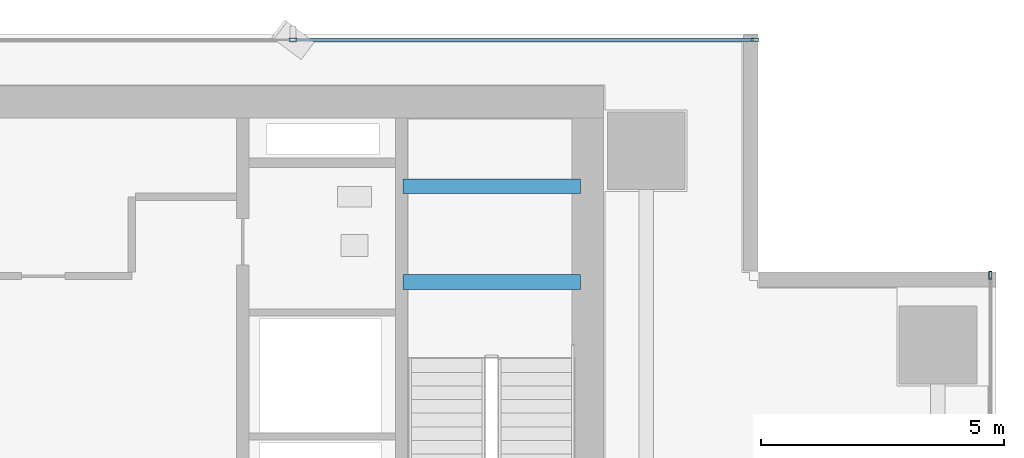
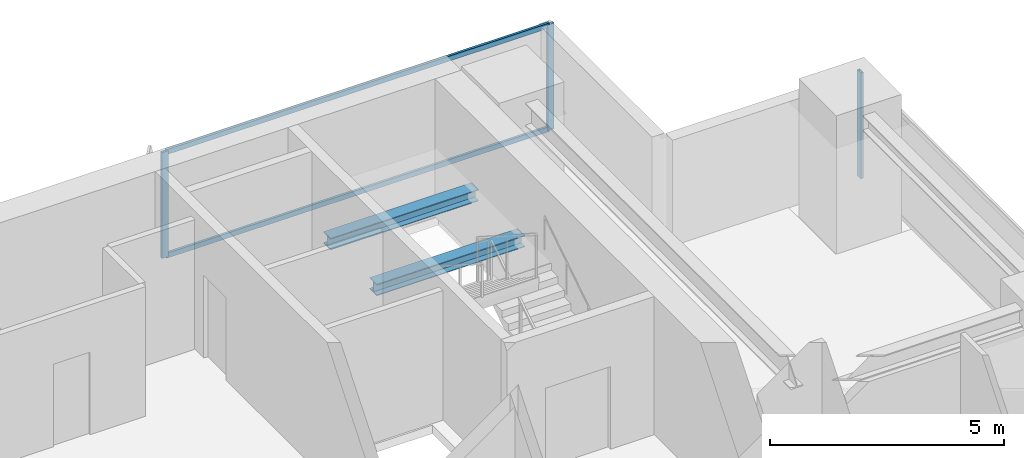
# One storey, part 19 of 27: 5 members, 2 beams, 2 elements without a shape of their own.
"""IFC4 building model written with IfcOpenShell, lengths in metres."""

from ifc_helpers import new_model, si_unit, direction, frame, origin, origin_2d, place, context, subcontext, project, spatial, hollow_rectangle, i_section, extrude, source, transform, mapped, material, layer, layer_set, material_profile, profile_set, type_object, element, aggregate, save


model = new_model("IFC4")

# Units and contexts
model_context = context("Model", 3, precision=1e-05, world=origin(), true_north=direction((0.0, 1.0)))
body_context = subcontext(model_context, "Body", "Model", "MODEL_VIEW")
ifc_project = project(units=[si_unit("LENGTHUNIT", "METRE"), si_unit("AREAUNIT", "SQUARE_METRE"), si_unit("VOLUMEUNIT", "CUBIC_METRE"), si_unit("PLANEANGLEUNIT", "RADIAN"), si_unit("MASSUNIT", "GRAM", prefix="KILO")], contexts=[model_context])

# Site, building, storey
site_placement = place(None, origin())
site = spatial("IfcSite", under=ifc_project, at=site_placement, CompositionType="ELEMENT")
building_placement = place(site_placement, origin())
building = spatial("IfcBuilding", under=site, at=building_placement, Name="Sumidabori Civic Tower", CompositionType="ELEMENT")
storey_placement = place(building_placement, frame((0.0, 0.0, 138.800048828125)))
storey = spatial("IfcBuildingStorey", under=building, at=storey_placement, Name="L35", CompositionType="ELEMENT", Elevation=138.800048828125)

# Beams
ifc_material_1 = material(Name="Steel SN490", Category="steel")
ifc_material_profile_1 = material_profile(ifc_material_1, i_section(OverallWidth=0.300048828125, OverallDepth=0.300048828125, WebThickness=0.010986328125, FlangeThickness=0.01904296875, at=origin_2d()), Name="HE 300 B")
ifc_profile_set_1 = profile_set([ifc_material_profile_1], Name="Steel SN490")
beam_type = type_object("IfcBeamType", Name="BM-LDG-300", PredefinedType="BEAM", material=ifc_profile_set_1)
shared_shape_1 = source(origin(), body_context, "Body", "SweptSolid", [
    extrude(i_section(OverallWidth=0.300048828125, OverallDepth=0.300048828125, WebThickness=0.010986328125, FlangeThickness=0.01904296875, at=origin_2d()), origin(), (0.0, 0.0, 1.0), 3.64990234375),
])
for number, where, z_axis, x_axis, name in (
    (1, (11.800048828125, 20.09765625, 1.449951171875), (1.0, 0.0, 0.0), (0.0, 1.0, 0.0), "Stair ST-2 Landing Support Beam L35-1A"),
    (2, (11.800048828125, 22.069580078125, 1.449951171875), (1.0, 0.0, 0.0), (0.0, 1.0, 0.0), "Stair ST-2 Landing Trimmer Beam L35-1B"),
):
    element("IfcBeam", number, at=place(storey_placement, frame(where, z_axis=z_axis, x_axis=x_axis)), inside=storey, type_object=beam_type, Name=name, PredefinedType="BEAM", context=body_context, shape_type="MappedRepresentation", body=[
        mapped(shared_shape_1, transform((0.0, 0.0, 0.0), x_axis=(1.0, 0.0, 0.0), y_axis=(0.0, 1.0, 0.0), z_axis=(0.0, 0.0, 1.0), scale=1.0)),
    ])

# Curtain wall, member
ifc_material_2 = material(Name="Anodised Bronze Aluminium AW-6063-T6", Category="aluminium")
ifc_layer = layer(ifc_material_2, 0.179931640625, Name="Anodised Bronze Aluminium AW-6063-T6")
ifc_layer_set = layer_set([ifc_layer], Name="Anodised Bronze Aluminium AW-6063-T6")
curtain_wall_type = type_object("IfcCurtainWallType", Name="CW-SYS-3", PredefinedType="NOTDEFINED", material=ifc_layer_set)
curtain_wall_1_placement = place(storey_placement, origin())
curtain_wall_1 = element("IfcCurtainWall", 3, at=curtain_wall_1_placement, inside=storey, type_object=curtain_wall_type, Name="Curtain Wall CW:L35:R04", PredefinedType="NOTDEFINED")
ifc_material_profile_2 = material_profile(ifc_material_2, hollow_rectangle(XDim=0.06494140625, YDim=0.159912109375, WallThickness=0.0048828125, at=origin_2d()), Name="ALU MULLION 160x65")
ifc_profile_set_2 = profile_set([ifc_material_profile_2], Name="Anodised Bronze Aluminium AW-6063-T6")
member_type_1 = type_object("IfcMemberType", Name="CW-MUL-160", PredefinedType="MULLION", material=ifc_profile_set_2)
shared_shape_2 = source(origin(), body_context, "Body", "SweptSolid", [
    extrude(hollow_rectangle(XDim=0.06494140625, YDim=0.159912109375, WallThickness=0.0048828125, at=origin_2d()), origin(), (0.0, 0.0, 1.0), 2.760009765625),
])
member_1_placement = place(storey_placement, frame((23.8798828125, 20.237548828125, 0.0), z_axis=(0.0, 0.0, 1.0), x_axis=(-1.0, 0.0, 0.0)))
member_1 = element("IfcMember", 4, at=member_1_placement, type_object=member_type_1, Name="CW-3 mullion 5", PredefinedType="MULLION", context=body_context, shape_type="MappedRepresentation", body=[
    mapped(shared_shape_2, transform((0.0, 0.0, 0.0), x_axis=(1.0, 0.0, 0.0), y_axis=(0.0, 1.0, 0.0), z_axis=(0.0, 0.0, 1.0), scale=1.0)),
])
aggregate(curtain_wall_1, [member_1])

# Curtain wall, members
curtain_wall_2_placement = place(storey_placement, origin())
curtain_wall_2 = element("IfcCurtainWall", 5, at=curtain_wall_2_placement, inside=storey, type_object=curtain_wall_type, Name="Curtain Wall CW:L35:R07", PredefinedType="NOTDEFINED")
member_2_placement = place(storey_placement, frame((19.03759765625, 25.080078125, 0.0), z_axis=(0.0, 0.0, 1.0), x_axis=(0.0, -1.0, 0.0)))
member_2 = element("IfcMember", 6, at=member_2_placement, type_object=member_type_1, Name="CW-3 mullion 1", PredefinedType="MULLION", context=body_context, shape_type="MappedRepresentation", body=[
    mapped(shared_shape_2, transform((0.0, 0.0, 0.0), x_axis=(1.0, 0.0, 0.0), y_axis=(0.0, 1.0, 0.0), z_axis=(0.0, 0.0, 1.0), scale=1.0)),
])
member_3_placement = place(storey_placement, frame((9.534912109375, 25.080078125, 0.0), z_axis=(0.0, 0.0, 1.0), x_axis=(0.0, -1.0, 0.0)))
member_3 = element("IfcMember", 7, at=member_3_placement, type_object=member_type_1, Name="CW-3 mullion 2", PredefinedType="MULLION", context=body_context, shape_type="MappedRepresentation", body=[
    mapped(shared_shape_2, transform((0.0, 0.0, 0.0), x_axis=(1.0, 0.0, 0.0), y_axis=(0.0, 1.0, 0.0), z_axis=(0.0, 0.0, 1.0), scale=1.0)),
])
ifc_material_profile_3 = material_profile(ifc_material_2, hollow_rectangle(XDim=0.06005859375, YDim=0.1298828125, WallThickness=0.0048828125, at=origin_2d()), Name="ALU TRANSOM 130x60")
ifc_profile_set_3 = profile_set([ifc_material_profile_3], Name="Anodised Bronze Aluminium AW-6063-T6")
member_type_2 = type_object("IfcMemberType", Name="CW-TRN-130", PredefinedType="USERDEFINED", material=ifc_profile_set_3)
shared_shape_3 = source(origin(), body_context, "Body", "SweptSolid", [
    extrude(hollow_rectangle(XDim=0.06005859375, YDim=0.1298828125, WallThickness=0.0048828125, at=origin_2d()), origin(), (0.0, 0.0, 1.0), 9.4375),
])
member_4_placement = place(storey_placement, frame((19.0048828125, 25.080078125, 0.030029296875), z_axis=(-1.0, 0.0, 0.0), x_axis=(0.0, -1.0, 0.0)))
member_4 = element("IfcMember", 8, at=member_4_placement, type_object=member_type_2, Name="CW-3 transom 1.1", ObjectType="TRANSOM", PredefinedType="USERDEFINED", context=body_context, shape_type="MappedRepresentation", body=[
    mapped(shared_shape_3, transform((0.0, 0.0, 0.0), x_axis=(1.0, 0.0, 0.0), y_axis=(0.0, 1.0, 0.0), z_axis=(0.0, 0.0, 1.0), scale=1.0)),
])
member_5_placement = place(storey_placement, frame((19.0048828125, 25.080078125, 2.72998046875), z_axis=(-1.0, 0.0, 0.0), x_axis=(0.0, -1.0, 0.0)))
member_5 = element("IfcMember", 9, at=member_5_placement, type_object=member_type_2, Name="CW-3 transom 1.2", ObjectType="TRANSOM", PredefinedType="USERDEFINED", context=body_context, shape_type="MappedRepresentation", body=[
    mapped(shared_shape_3, transform((0.0, 0.0, 0.0), x_axis=(1.0, 0.0, 0.0), y_axis=(0.0, 1.0, 0.0), z_axis=(0.0, 0.0, 1.0), scale=1.0)),
])
aggregate(curtain_wall_2, [member_2, member_3, member_4, member_5])

save(model, "model.ifc")
